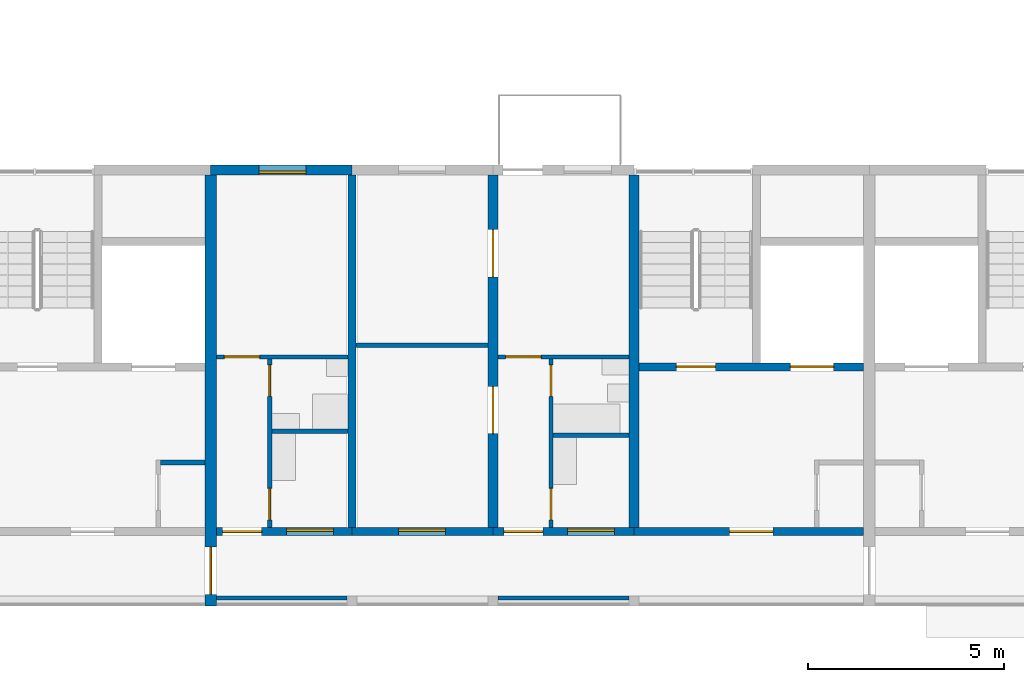
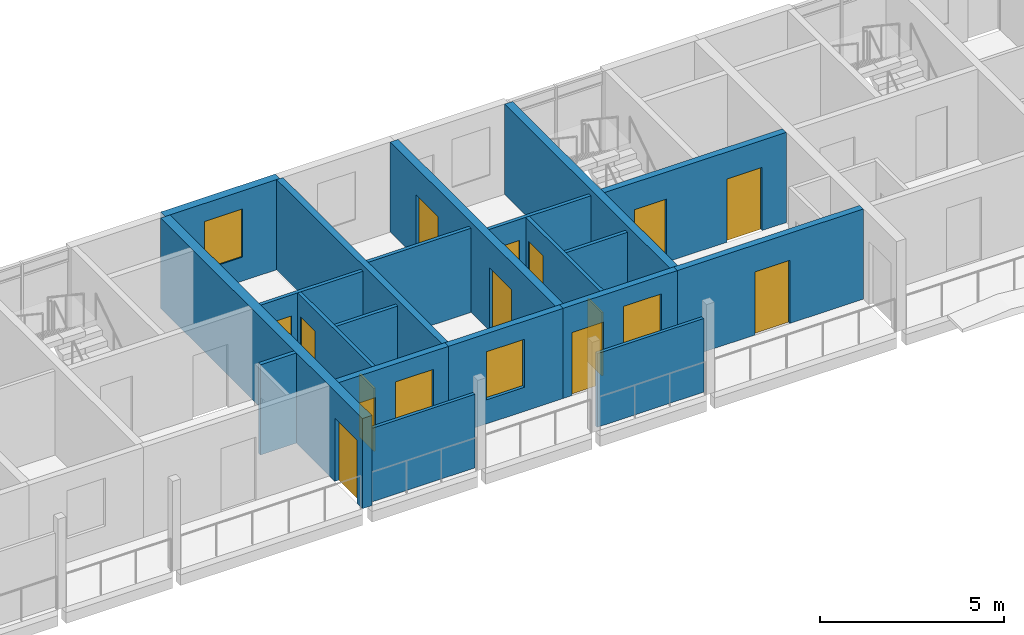
# One storey, part 31 of 100: 20 walls, 14 doors, 4 windows, 18 openings.
"""IFC4 building model written with IfcOpenShell, lengths in metres."""

from ifc_helpers import new_model, si_unit, direction, frame, frame_2d, origin, place, context, subcontext, project, spatial, rectangle, extrude, material, layer, layer_set, type_object, element, fill, save


model = new_model("IFC4")

# Units and contexts
model_context = context("Model", 3, precision=1e-05, world=origin(), true_north=direction((0.0, 1.0)))
body_context = subcontext(model_context, "Body", "Model", "MODEL_VIEW")
ifc_project = project(units=[si_unit("LENGTHUNIT", "METRE"), si_unit("AREAUNIT", "SQUARE_METRE"), si_unit("VOLUMEUNIT", "CUBIC_METRE"), si_unit("PLANEANGLEUNIT", "RADIAN"), si_unit("MASSUNIT", "GRAM", prefix="KILO")], contexts=[model_context])

# Site, building, storey
site_placement = place(None, origin())
site = spatial("IfcSite", under=ifc_project, at=site_placement, CompositionType="ELEMENT")
building_placement = place(site_placement, origin())
building = spatial("IfcBuilding", under=site, at=building_placement, Name="Ridgestep Commons", CompositionType="ELEMENT")
storey_placement = place(building_placement, frame((0.0, 0.0, 9.0)))
storey = spatial("IfcBuildingStorey", under=building, at=storey_placement, Name="L03", CompositionType="ELEMENT", Elevation=9.0)

# Wall
ifc_material_1 = material(Name="Concrete C30/37", Category="concrete")
ifc_layer_1 = layer(ifc_material_1, 0.25)
ifc_layer_set_1 = layer_set([ifc_layer_1], Name="Core cross wall 250")
wall_type_1 = type_object("IfcWallType", Name="Core cross wall 250", PredefinedType="SHEAR", material=ifc_layer_set_1)
wall_1_placement = place(storey_placement, frame((39.60009765625, 13.75, 0.0), z_axis=(0.0, 0.0, 1.0), x_axis=(0.0, 1.0, 0.0)))
element("IfcWall", 1, at=wall_1_placement, inside=storey, type_object=wall_type_1, Name="Cross wall A-03-0396", PredefinedType="SHEAR", context=body_context, shape_type="SweptSolid", body=[
    extrude(rectangle(XDim=9.0, YDim=0.25, at=frame_2d((4.5, 0.0))), origin(), (0.0, 0.0, 1.0), 3.0),
])

# Wall, opening, door
ifc_material_2 = material(Name="Concrete C30/37", Category="concrete")
ifc_layer_2 = layer(ifc_material_2, 0.199951171875)
ifc_layer_set_2 = layer_set([ifc_layer_2], Name="Core south wall 200")
wall_type_2 = type_object("IfcWallType", Name="Core south wall 200", PredefinedType="SHEAR", material=ifc_layer_set_2)
wall_2_placement = place(storey_placement, frame((39.60009765625, 13.64990234375, 0.0), z_axis=(0.0, 0.0, 1.0), x_axis=(1.0, 0.0, 0.0)))
wall_2 = element("IfcWall", 2, at=wall_2_placement, inside=storey, type_object=wall_type_2, Name="Core south wall A2C L03", PredefinedType="SHEAR", context=body_context, shape_type="SweptSolid", body=[
    extrude(rectangle(XDim=5.849853515625, YDim=0.199951171875, at=frame_2d((2.9248046875, 0.0))), origin(), (0.0, 0.0, 1.0), 3.0),
])
opening_1_placement = place(wall_2_placement, frame((2.4375, 0.0, 0.0)))
opening_1 = element("IfcOpeningElement", 3, at=opening_1_placement, cuts=wall_2, Name="Opening A2C/03/1", PredefinedType="OPENING", context=body_context, shape_type="SweptSolid", body=[
    extrude(rectangle(XDim=1.10009765625, YDim=2.10009765625, at=frame_2d((0.550048828125, 1.050048828125))), frame((0.0, 0.10986328125, 0.0), z_axis=(0.0, -1.0, 0.0), x_axis=(1.0, 0.0, 0.0)), (0.0, 0.0, 1.0), 0.219970703125),
])
ifc_material_3 = material(Name="Steel fire door", Category="steel")
door_type_1 = type_object("IfcDoorType", Name="Lobby door 1100 x 2100 FD60", OperationType="NOTDEFINED", PredefinedType="DOOR", material=ifc_material_3)
door_1_placement = place(opening_1_placement, origin())
door_1 = element("IfcDoor", 4, at=door_1_placement, inside=storey, type_object=door_type_1, Name="Lobby door A2C/03/1", OperationType="SINGLE_SWING_LEFT", OverallHeight=2.10009765625, OverallWidth=1.10009765625, PredefinedType="DOOR", context=body_context, shape_type="SweptSolid", body=[
    extrude(rectangle(XDim=1.10009765625, YDim=2.10009765625, at=frame_2d((0.550048828125, 1.050048828125))), frame((0.0, 0.02490234375, 0.0), z_axis=(0.0, -1.0, 0.0), x_axis=(1.0, 0.0, 0.0)), (0.0, 0.0, 1.0), 0.050048828125),
])
fill(opening_1, door_1)

# Wall
ifc_material_4 = material(Name="Concrete C30/37", Category="concrete")
ifc_layer_3 = layer(ifc_material_4, 0.1201171875)
ifc_layer_set_3 = layer_set([ifc_layer_3], Name="Core wall 120")
wall_type_3 = type_object("IfcWallType", Name="Core wall 120", PredefinedType="SHEAR", material=ifc_layer_set_3)
wall_3_placement = place(storey_placement, frame((27.52001953125, 15.409912109375, 0.0), z_axis=(0.0, 0.0, 1.0), x_axis=(1.0, 0.0, 0.0)))
element("IfcWall", 5, at=wall_3_placement, inside=storey, type_object=wall_type_3, Name="Core riser n wall A1C L03", PredefinedType="SHEAR", context=body_context, shape_type="SweptSolid", body=[
    extrude(rectangle(XDim=1.1298828125, YDim=0.1201171875, at=frame_2d((0.56494140625, 0.0))), origin(), (0.0, 0.0, 1.0), 3.0),
])

# Wall, openings, doors
ifc_material_5 = material(Name="Concrete C30/37", Category="concrete")
ifc_layer_4 = layer(ifc_material_5, 0.199951171875)
ifc_layer_set_4 = layer_set([ifc_layer_4], Name="Core wall 200")
wall_type_4 = type_object("IfcWallType", Name="Core wall 200", PredefinedType="SHEAR", material=ifc_layer_set_4)
wall_4_placement = place(storey_placement, frame((39.72509765625, 17.85009765625, 0.0), z_axis=(0.0, 0.0, 1.0), x_axis=(1.0, 0.0, 0.0)))
wall_4 = element("IfcWall", 6, at=wall_4_placement, inside=storey, type_object=wall_type_4, Name="Core lobby wall A2C L03", PredefinedType="SHEAR", context=body_context, shape_type="SweptSolid", body=[
    extrude(rectangle(XDim=5.724853515625, YDim=0.199951171875, at=frame_2d((2.8623046875, 0.0))), origin(), (0.0, 0.0, 1.0), 3.0),
])
opening_2_placement = place(wall_4_placement, frame((0.949951171875, 0.0, 0.0)))
opening_2 = element("IfcOpeningElement", 7, at=opening_2_placement, cuts=wall_4, Name="Opening A2C/03/2", PredefinedType="OPENING", context=body_context, shape_type="SweptSolid", body=[
    extrude(rectangle(XDim=1.0, YDim=2.10009765625, at=frame_2d((0.5, 1.050048828125))), frame((0.0, 0.10986328125, 0.0), z_axis=(0.0, -1.0, 0.0), x_axis=(1.0, 0.0, 0.0)), (0.0, 0.0, 1.0), 0.219970703125),
])
opening_3_placement = place(wall_4_placement, frame((3.862548828125, 0.0, 0.0)))
opening_3 = element("IfcOpeningElement", 8, at=opening_3_placement, cuts=wall_4, Name="Opening A2C/03/3", PredefinedType="OPENING", context=body_context, shape_type="SweptSolid", body=[
    extrude(rectangle(XDim=1.10009765625, YDim=2.10009765625, at=frame_2d((0.550048828125, 1.050048828125))), frame((0.0, 0.10986328125, 0.0), z_axis=(0.0, -1.0, 0.0), x_axis=(1.0, 0.0, 0.0)), (0.0, 0.0, 1.0), 0.219970703125),
])
ifc_material_6 = material(Name="Stainless steel", Category="steel")
door_type_2 = type_object("IfcDoorType", Name="Lift landing door 1100 x 2100 FD60", OperationType="DOUBLE_DOOR_SLIDING", PredefinedType="DOOR", material=ifc_material_6)
door_2_placement = place(opening_3_placement, origin())
door_2 = element("IfcDoor", 9, at=door_2_placement, inside=storey, type_object=door_type_2, Name="Landing door LD A2C L03", OperationType="DOUBLE_DOOR_SLIDING", OverallHeight=2.10009765625, OverallWidth=1.10009765625, PredefinedType="DOOR", context=body_context, shape_type="SweptSolid", body=[
    extrude(rectangle(XDim=1.10009765625, YDim=2.10009765625, at=frame_2d((0.550048828125, 1.050048828125))), frame((0.0, 0.02490234375, 0.0), z_axis=(0.0, -1.0, 0.0), x_axis=(1.0, 0.0, 0.0)), (0.0, 0.0, 1.0), 0.050048828125),
])
fill(opening_3, door_2)
ifc_material_7 = material(Name="Steel fire door", Category="steel")
door_type_3 = type_object("IfcDoorType", Name="Stair door 1000 x 2100 FD60", OperationType="NOTDEFINED", PredefinedType="DOOR", material=ifc_material_7)
door_3_placement = place(opening_2_placement, origin())
door_3 = element("IfcDoor", 10, at=door_3_placement, inside=storey, type_object=door_type_3, Name="Stair door A2C/03/2", OperationType="SINGLE_SWING_RIGHT", OverallHeight=2.10009765625, OverallWidth=1.0, PredefinedType="DOOR", context=body_context, shape_type="SweptSolid", body=[
    extrude(rectangle(XDim=1.0, YDim=2.10009765625, at=frame_2d((0.5, 1.050048828125))), frame((0.0, 0.02490234375, 0.0), z_axis=(0.0, -1.0, 0.0), x_axis=(1.0, 0.0, 0.0)), (0.0, 0.0, 1.0), 0.050048828125),
])
fill(opening_2, door_3)

# Wall
ifc_material_8 = material(Name="Precast concrete C40/50", Category="concrete")
ifc_layer_5 = layer(ifc_material_8, 0.199951171875)
ifc_layer_set_5 = layer_set([ifc_layer_5], Name="Cross wall 200")
wall_type_5 = type_object("IfcWallType", Name="Cross wall 200", PredefinedType="SHEAR", material=ifc_layer_set_5)
wall_5_placement = place(storey_placement, frame((32.39990234375, 13.75, 0.0), z_axis=(0.0, 0.0, 1.0), x_axis=(0.0, 1.0, 0.0)))
element("IfcWall", 11, at=wall_5_placement, inside=storey, type_object=wall_type_5, Name="Cross wall A-03-0324", PredefinedType="SHEAR", context=body_context, shape_type="SweptSolid", body=[
    extrude(rectangle(XDim=9.0, YDim=0.199951171875, at=frame_2d((4.5, 0.0))), origin(), (0.0, 0.0, 1.0), 3.0),
])

# Wall, openings, doors
ifc_material_9 = material(Name="Precast concrete C40/50", Category="concrete")
ifc_layer_6 = layer(ifc_material_9, 0.25)
ifc_layer_set_6 = layer_set([ifc_layer_6], Name="Cross wall 250")
wall_type_6 = type_object("IfcWallType", Name="Cross wall 250", PredefinedType="SHEAR", material=ifc_layer_set_6)
wall_6_placement = place(storey_placement, frame((36.0, 13.75, 0.0), z_axis=(0.0, 0.0, 1.0), x_axis=(0.0, 1.0, 0.0)))
wall_6 = element("IfcWall", 12, at=wall_6_placement, inside=storey, type_object=wall_type_6, Name="Cross wall A-03-0360", PredefinedType="SHEAR", context=body_context, shape_type="SweptSolid", body=[
    extrude(rectangle(XDim=9.0, YDim=0.25, at=frame_2d((4.5, 0.0))), origin(), (0.0, 0.0, 1.0), 3.0),
])
opening_4_placement = place(wall_6_placement, frame((2.39990234375, 0.0, 0.0)))
opening_4 = element("IfcOpeningElement", 13, at=opening_4_placement, cuts=wall_6, Name="Opening A2-03b/5", PredefinedType="OPENING", context=body_context, shape_type="SweptSolid", body=[
    extrude(rectangle(XDim=1.199951171875, YDim=2.10009765625, at=frame_2d((0.60009765625, 1.050048828125))), frame((0.0, 0.135009765625, 0.0), z_axis=(0.0, -1.0, 0.0), x_axis=(1.0, 0.0, 0.0)), (0.0, 0.0, 1.0), 0.27001953125),
])
opening_5_placement = place(wall_6_placement, frame((6.39990234375, 0.0, 0.0)))
opening_5 = element("IfcOpeningElement", 14, at=opening_5_placement, cuts=wall_6, Name="Opening A2-03b/6", PredefinedType="OPENING", context=body_context, shape_type="SweptSolid", body=[
    extrude(rectangle(XDim=1.199951171875, YDim=2.10009765625, at=frame_2d((0.60009765625, 1.050048828125))), frame((0.0, 0.135009765625, 0.0), z_axis=(0.0, -1.0, 0.0), x_axis=(1.0, 0.0, 0.0)), (0.0, 0.0, 1.0), 0.27001953125),
])
ifc_material_10 = material(Name="Timber door leaf", Category="wood")
door_type_4 = type_object("IfcDoorType", Name="Double door 1200 x 2100", OperationType="DOUBLE_DOOR_SINGLE_SWING", PredefinedType="DOOR", material=ifc_material_10)
door_4_placement = place(opening_4_placement, origin())
door_4 = element("IfcDoor", 15, at=door_4_placement, inside=storey, type_object=door_type_4, Name="Double door A2-03b/5", OperationType="DOUBLE_DOOR_SINGLE_SWING", OverallHeight=2.10009765625, OverallWidth=1.199951171875, PredefinedType="DOOR", context=body_context, shape_type="SweptSolid", body=[
    extrude(rectangle(XDim=1.199951171875, YDim=2.10009765625, at=frame_2d((0.60009765625, 1.050048828125))), frame((0.0, 0.02490234375, 0.0), z_axis=(0.0, -1.0, 0.0), x_axis=(1.0, 0.0, 0.0)), (0.0, 0.0, 1.0), 0.050048828125),
])
fill(opening_4, door_4)
door_5_placement = place(opening_5_placement, origin())
door_5 = element("IfcDoor", 16, at=door_5_placement, inside=storey, type_object=door_type_4, Name="Double door A2-03b/6", OperationType="DOUBLE_DOOR_SINGLE_SWING", OverallHeight=2.10009765625, OverallWidth=1.199951171875, PredefinedType="DOOR", context=body_context, shape_type="SweptSolid", body=[
    extrude(rectangle(XDim=1.199951171875, YDim=2.10009765625, at=frame_2d((0.60009765625, 1.050048828125))), frame((0.0, 0.02490234375, 0.0), z_axis=(0.0, -1.0, 0.0), x_axis=(1.0, 0.0, 0.0)), (0.0, 0.0, 1.0), 0.050048828125),
])
fill(opening_5, door_5)

# Wall, opening, door
ifc_material_11 = material(Name="Precast concrete C40/50", Category="concrete")
ifc_layer_7 = layer(ifc_material_11, 0.300048828125)
ifc_layer_set_7 = layer_set([ifc_layer_7], Name="Division wall 300")
wall_type_7 = type_object("IfcWallType", Name="Division wall 300", PredefinedType="SHEAR", material=ifc_layer_set_7)
wall_7_placement = place(storey_placement, frame((28.800048828125, 11.75, 0.0), z_axis=(0.0, 0.0, 1.0), x_axis=(0.0, 1.0, 0.0)))
wall_7 = element("IfcWall", 17, at=wall_7_placement, inside=storey, type_object=wall_type_7, Name="Cross wall A-03-0288", PredefinedType="SHEAR", context=body_context, shape_type="SweptSolid", body=[
    extrude(rectangle(XDim=11.0, YDim=0.300048828125, at=frame_2d((5.5, 0.0))), origin(), (0.0, 0.0, 1.0), 3.0),
])
opening_6_placement = place(wall_7_placement, frame((0.300048828125, 0.0, 0.0)))
opening_6 = element("IfcOpeningElement", 18, at=opening_6_placement, cuts=wall_7, Name="Opening A/03/G0288", PredefinedType="OPENING", context=body_context, shape_type="SweptSolid", body=[
    extrude(rectangle(XDim=1.199951171875, YDim=2.10009765625, at=frame_2d((0.60009765625, 1.050048828125))), frame((0.0, 0.159912109375, 0.0), z_axis=(0.0, -1.0, 0.0), x_axis=(1.0, 0.0, 0.0)), (0.0, 0.0, 1.0), 0.320068359375),
])
ifc_material_12 = material(Name="Steel fire door", Category="steel")
door_type_5 = type_object("IfcDoorType", Name="Division fire door 1200 x 2100 EI 240", OperationType="DOUBLE_DOOR_SINGLE_SWING", PredefinedType="DOOR", material=ifc_material_12)
door_6_placement = place(opening_6_placement, origin())
door_6 = element("IfcDoor", 19, at=door_6_placement, inside=storey, type_object=door_type_5, Name="Division fire door A/03/G0288", OperationType="DOUBLE_DOOR_SINGLE_SWING", OverallHeight=2.10009765625, OverallWidth=1.199951171875, PredefinedType="DOOR", context=body_context, shape_type="SweptSolid", body=[
    extrude(rectangle(XDim=1.199951171875, YDim=2.10009765625, at=frame_2d((0.60009765625, 1.050048828125))), frame((0.0, 0.02490234375, 0.0), z_axis=(0.0, -1.0, 0.0), x_axis=(1.0, 0.0, 0.0)), (0.0, 0.0, 1.0), 0.050048828125),
])
fill(opening_6, door_6)

# Wall, opening, window
ifc_material_13 = material(Name="Precast concrete C40/50", Category="concrete")
ifc_layer_8 = layer(ifc_material_13, 0.25)
ifc_layer_set_8 = layer_set([ifc_layer_8], Name="North facade panel 250")
wall_type_8 = type_object("IfcWallType", Name="North facade panel 250", PredefinedType="SOLIDWALL", material=ifc_layer_set_8)
wall_8_placement = place(storey_placement, frame((28.800048828125, 22.875, 0.0), z_axis=(0.0, 0.0, 1.0), x_axis=(1.0, 0.0, 0.0)))
wall_8 = element("IfcWall", 20, at=wall_8_placement, inside=storey, type_object=wall_type_8, Name="North panel A2T1 L03", PredefinedType="SOLIDWALL", context=body_context, shape_type="SweptSolid", body=[
    extrude(rectangle(XDim=3.599853515625, YDim=0.25, at=frame_2d((1.7998046875, 0.0))), origin(), (0.0, 0.0, 1.0), 3.0),
])
opening_7_placement = place(wall_8_placement, frame((1.22509765625, 0.0, 0.800048828125)))
opening_7 = element("IfcOpeningElement", 21, at=opening_7_placement, cuts=wall_8, Name="Opening W11", PredefinedType="OPENING", context=body_context, shape_type="SweptSolid", body=[
    extrude(rectangle(XDim=1.199951171875, YDim=1.60009765625, at=frame_2d((0.60009765625, 0.800048828125))), frame((0.0, 0.135009765625, 0.0), z_axis=(0.0, -1.0, 0.0), x_axis=(1.0, 0.0, 0.0)), (0.0, 0.0, 1.0), 0.27001953125),
])
ifc_material_14 = material(Name="Aluminium 6063-T6 and glass", Category="aluminium")
window_type_1 = type_object("IfcWindowType", Name="Flat window 1200 x 1600", PartitioningType="SINGLE_PANEL", PredefinedType="WINDOW", material=ifc_material_14)
window_1_placement = place(opening_7_placement, origin())
window_1 = element("IfcWindow", 22, at=window_1_placement, inside=storey, type_object=window_type_1, Name="Window A2-03a 2", OverallHeight=1.60009765625, OverallWidth=1.199951171875, PartitioningType="SINGLE_PANEL", PredefinedType="WINDOW", context=body_context, shape_type="SweptSolid", body=[
    extrude(rectangle(XDim=1.199951171875, YDim=1.60009765625, at=frame_2d((0.60009765625, 0.800048828125))), frame((0.0, -0.02490234375, 0.0), z_axis=(0.0, -1.0, 0.0), x_axis=(1.0, 0.0, 0.0)), (0.0, 0.0, 1.0), 0.06005859375),
])
fill(opening_7, window_1)

# Wall, openings, doors
ifc_material_15 = material(Name="Common brick 110 mm", Category="masonry")
ifc_layer_9 = layer(ifc_material_15, 0.110107421875)
ifc_layer_set_9 = layer_set([ifc_layer_9], Name="Partition 110")
wall_type_9 = type_object("IfcWallType", Name="Partition 110", PredefinedType="PARTITIONING", material=ifc_layer_set_9)
wall_9_placement = place(storey_placement, frame((30.304931640625, 13.75, 0.0), z_axis=(0.0, 0.0, 1.0), x_axis=(0.0, 1.0, 0.0)))
wall_9 = element("IfcWall", 23, at=wall_9_placement, inside=storey, type_object=wall_type_9, Name="Partition A2-03a", PredefinedType="PARTITIONING", context=body_context, shape_type="SweptSolid", body=[
    extrude(rectangle(XDim=4.300048828125, YDim=0.110107421875, at=frame_2d((2.14990234375, 0.0))), origin(), (0.0, 0.0, 1.0), 2.800048828125),
])
opening_8_placement = place(wall_9_placement, frame((0.199951171875, 0.0, 0.0)))
opening_8 = element("IfcOpeningElement", 24, at=opening_8_placement, cuts=wall_9, Name="Opening A2-03a/2", PredefinedType="OPENING", context=body_context, shape_type="SweptSolid", body=[
    extrude(rectangle(XDim=0.800048828125, YDim=2.10009765625, at=frame_2d((0.39990234375, 1.050048828125))), frame((0.0, 0.06494140625, 0.0), z_axis=(0.0, -1.0, 0.0), x_axis=(1.0, 0.0, 0.0)), (0.0, 0.0, 1.0), 0.130126953125),
])
opening_9_placement = place(wall_9_placement, frame((3.35009765625, 0.0, 0.0)))
opening_9 = element("IfcOpeningElement", 25, at=opening_9_placement, cuts=wall_9, Name="Opening A2-03a/3", PredefinedType="OPENING", context=body_context, shape_type="SweptSolid", body=[
    extrude(rectangle(XDim=0.800048828125, YDim=2.10009765625, at=frame_2d((0.39990234375, 1.050048828125))), frame((0.0, 0.06494140625, 0.0), z_axis=(0.0, -1.0, 0.0), x_axis=(1.0, 0.0, 0.0)), (0.0, 0.0, 1.0), 0.130126953125),
])
ifc_material_16 = material(Name="Timber door leaf", Category="wood")
door_type_6 = type_object("IfcDoorType", Name="Internal door 800 x 2100", OperationType="NOTDEFINED", PredefinedType="DOOR", material=ifc_material_16)
door_7_placement = place(opening_8_placement, origin())
door_7 = element("IfcDoor", 26, at=door_7_placement, inside=storey, type_object=door_type_6, Name="Internal door A2-03a/2", OperationType="SINGLE_SWING_RIGHT", OverallHeight=2.10009765625, OverallWidth=0.800048828125, PredefinedType="DOOR", context=body_context, shape_type="SweptSolid", body=[
    extrude(rectangle(XDim=0.800048828125, YDim=2.10009765625, at=frame_2d((0.39990234375, 1.050048828125))), frame((0.0, 0.02490234375, 0.0), z_axis=(0.0, -1.0, 0.0), x_axis=(1.0, 0.0, 0.0)), (0.0, 0.0, 1.0), 0.050048828125),
])
fill(opening_8, door_7)
door_8_placement = place(opening_9_placement, origin())
door_8 = element("IfcDoor", 27, at=door_8_placement, inside=storey, type_object=door_type_6, Name="Internal door A2-03a/3", OperationType="SINGLE_SWING_LEFT", OverallHeight=2.10009765625, OverallWidth=0.800048828125, PredefinedType="DOOR", context=body_context, shape_type="SweptSolid", body=[
    extrude(rectangle(XDim=0.800048828125, YDim=2.10009765625, at=frame_2d((0.39990234375, 1.050048828125))), frame((0.0, 0.02490234375, 0.0), z_axis=(0.0, -1.0, 0.0), x_axis=(1.0, 0.0, 0.0)), (0.0, 0.0, 1.0), 0.050048828125),
])
fill(opening_9, door_8)

# Wall
wall_10_placement = place(storey_placement, frame((30.360107421875, 16.205078125, 0.0), z_axis=(0.0, 0.0, 1.0), x_axis=(1.0, 0.0, 0.0)))
element("IfcWall", 28, at=wall_10_placement, inside=storey, type_object=wall_type_9, Name="Partition A2-03a", PredefinedType="PARTITIONING", context=body_context, shape_type="SweptSolid", body=[
    extrude(rectangle(XDim=1.93994140625, YDim=0.110107421875, at=frame_2d((0.969970703125, 0.0))), origin(), (0.0, 0.0, 1.0), 2.800048828125),
])

# Wall, opening, door
wall_11_placement = place(storey_placement, frame((28.949951171875, 18.10498046875, 0.0), z_axis=(0.0, 0.0, 1.0), x_axis=(1.0, 0.0, 0.0)))
wall_11 = element("IfcWall", 29, at=wall_11_placement, inside=storey, type_object=wall_type_9, Name="Partition A2-03a", PredefinedType="PARTITIONING", context=body_context, shape_type="SweptSolid", body=[
    extrude(rectangle(XDim=3.35009765625, YDim=0.110107421875, at=frame_2d((1.675048828125, 0.0))), origin(), (0.0, 0.0, 1.0), 2.800048828125),
])
opening_10_placement = place(wall_11_placement, frame((0.199951171875, 0.0, 0.0)))
opening_10 = element("IfcOpeningElement", 30, at=opening_10_placement, cuts=wall_11, Name="Opening A2-03a/4", PredefinedType="OPENING", context=body_context, shape_type="SweptSolid", body=[
    extrude(rectangle(XDim=0.89990234375, YDim=2.10009765625, at=frame_2d((0.449951171875, 1.050048828125))), frame((0.0, 0.06494140625, 0.0), z_axis=(0.0, -1.0, 0.0), x_axis=(1.0, 0.0, 0.0)), (0.0, 0.0, 1.0), 0.130126953125),
])
ifc_material_17 = material(Name="Timber door leaf", Category="wood")
door_type_7 = type_object("IfcDoorType", Name="Internal door 900 x 2100", OperationType="NOTDEFINED", PredefinedType="DOOR", material=ifc_material_17)
door_9_placement = place(opening_10_placement, origin())
door_9 = element("IfcDoor", 31, at=door_9_placement, inside=storey, type_object=door_type_7, Name="Internal door A2-03a/4", OperationType="SINGLE_SWING_RIGHT", OverallHeight=2.10009765625, OverallWidth=0.89990234375, PredefinedType="DOOR", context=body_context, shape_type="SweptSolid", body=[
    extrude(rectangle(XDim=0.89990234375, YDim=2.10009765625, at=frame_2d((0.449951171875, 1.050048828125))), frame((0.0, 0.02490234375, 0.0), z_axis=(0.0, -1.0, 0.0), x_axis=(1.0, 0.0, 0.0)), (0.0, 0.0, 1.0), 0.050048828125),
])
fill(opening_10, door_9)

# Wall, openings, doors
wall_12_placement = place(storey_placement, frame((37.47998046875, 13.75, 0.0), z_axis=(0.0, 0.0, 1.0), x_axis=(0.0, 1.0, 0.0)))
wall_12 = element("IfcWall", 32, at=wall_12_placement, inside=storey, type_object=wall_type_9, Name="Partition A2-03b", PredefinedType="PARTITIONING", context=body_context, shape_type="SweptSolid", body=[
    extrude(rectangle(XDim=4.300048828125, YDim=0.110107421875, at=frame_2d((2.14990234375, 0.0))), origin(), (0.0, 0.0, 1.0), 2.800048828125),
])
opening_11_placement = place(wall_12_placement, frame((0.199951171875, 0.0, 0.0)))
opening_11 = element("IfcOpeningElement", 33, at=opening_11_placement, cuts=wall_12, Name="Opening A2-03b/2", PredefinedType="OPENING", context=body_context, shape_type="SweptSolid", body=[
    extrude(rectangle(XDim=0.800048828125, YDim=2.10009765625, at=frame_2d((0.39990234375, 1.050048828125))), frame((0.0, 0.06494140625, 0.0), z_axis=(0.0, -1.0, 0.0), x_axis=(1.0, 0.0, 0.0)), (0.0, 0.0, 1.0), 0.130126953125),
])
opening_12_placement = place(wall_12_placement, frame((3.35009765625, 0.0, 0.0)))
opening_12 = element("IfcOpeningElement", 34, at=opening_12_placement, cuts=wall_12, Name="Opening A2-03b/3", PredefinedType="OPENING", context=body_context, shape_type="SweptSolid", body=[
    extrude(rectangle(XDim=0.800048828125, YDim=2.10009765625, at=frame_2d((0.39990234375, 1.050048828125))), frame((0.0, 0.06494140625, 0.0), z_axis=(0.0, -1.0, 0.0), x_axis=(1.0, 0.0, 0.0)), (0.0, 0.0, 1.0), 0.130126953125),
])
door_10_placement = place(opening_11_placement, origin())
door_10 = element("IfcDoor", 35, at=door_10_placement, inside=storey, type_object=door_type_6, Name="Internal door A2-03b/2", OperationType="SINGLE_SWING_RIGHT", OverallHeight=2.10009765625, OverallWidth=0.800048828125, PredefinedType="DOOR", context=body_context, shape_type="SweptSolid", body=[
    extrude(rectangle(XDim=0.800048828125, YDim=2.10009765625, at=frame_2d((0.39990234375, 1.050048828125))), frame((0.0, 0.02490234375, 0.0), z_axis=(0.0, -1.0, 0.0), x_axis=(1.0, 0.0, 0.0)), (0.0, 0.0, 1.0), 0.050048828125),
])
fill(opening_11, door_10)
door_11_placement = place(opening_12_placement, origin())
door_11 = element("IfcDoor", 36, at=door_11_placement, inside=storey, type_object=door_type_6, Name="Internal door A2-03b/3", OperationType="SINGLE_SWING_LEFT", OverallHeight=2.10009765625, OverallWidth=0.800048828125, PredefinedType="DOOR", context=body_context, shape_type="SweptSolid", body=[
    extrude(rectangle(XDim=0.800048828125, YDim=2.10009765625, at=frame_2d((0.39990234375, 1.050048828125))), frame((0.0, 0.02490234375, 0.0), z_axis=(0.0, -1.0, 0.0), x_axis=(1.0, 0.0, 0.0)), (0.0, 0.0, 1.0), 0.050048828125),
])
fill(opening_12, door_11)

# Wall
wall_13_placement = place(storey_placement, frame((37.534912109375, 16.10498046875, 0.0), z_axis=(0.0, 0.0, 1.0), x_axis=(1.0, 0.0, 0.0)))
element("IfcWall", 37, at=wall_13_placement, inside=storey, type_object=wall_type_9, Name="Partition A2-03b", PredefinedType="PARTITIONING", context=body_context, shape_type="SweptSolid", body=[
    extrude(rectangle(XDim=1.940185546875, YDim=0.110107421875, at=frame_2d((0.97021484375, 0.0))), origin(), (0.0, 0.0, 1.0), 2.800048828125),
])

# Wall, opening, door
wall_14_placement = place(storey_placement, frame((36.125, 18.10498046875, 0.0), z_axis=(0.0, 0.0, 1.0), x_axis=(1.0, 0.0, 0.0)))
wall_14 = element("IfcWall", 38, at=wall_14_placement, inside=storey, type_object=wall_type_9, Name="Partition A2-03b", PredefinedType="PARTITIONING", context=body_context, shape_type="SweptSolid", body=[
    extrude(rectangle(XDim=3.35009765625, YDim=0.110107421875, at=frame_2d((1.675048828125, 0.0))), origin(), (0.0, 0.0, 1.0), 2.800048828125),
])
opening_13_placement = place(wall_14_placement, frame((0.199951171875, 0.0, 0.0)))
opening_13 = element("IfcOpeningElement", 39, at=opening_13_placement, cuts=wall_14, Name="Opening A2-03b/4", PredefinedType="OPENING", context=body_context, shape_type="SweptSolid", body=[
    extrude(rectangle(XDim=0.89990234375, YDim=2.10009765625, at=frame_2d((0.449951171875, 1.050048828125))), frame((0.0, 0.06494140625, 0.0), z_axis=(0.0, -1.0, 0.0), x_axis=(1.0, 0.0, 0.0)), (0.0, 0.0, 1.0), 0.130126953125),
])
door_12_placement = place(opening_13_placement, origin())
door_12 = element("IfcDoor", 40, at=door_12_placement, inside=storey, type_object=door_type_7, Name="Internal door A2-03b/4", OperationType="SINGLE_SWING_LEFT", OverallHeight=2.10009765625, OverallWidth=0.89990234375, PredefinedType="DOOR", context=body_context, shape_type="SweptSolid", body=[
    extrude(rectangle(XDim=0.89990234375, YDim=2.10009765625, at=frame_2d((0.449951171875, 1.050048828125))), frame((0.0, 0.02490234375, 0.0), z_axis=(0.0, -1.0, 0.0), x_axis=(1.0, 0.0, 0.0)), (0.0, 0.0, 1.0), 0.050048828125),
])
fill(opening_13, door_12)

# Walls
wall_15_placement = place(storey_placement, frame((32.5, 18.405029296875, 0.0), z_axis=(0.0, 0.0, 1.0), x_axis=(1.0, 0.0, 0.0)))
element("IfcWall", 41, at=wall_15_placement, inside=storey, type_object=wall_type_9, Name="Partition A2-03b", PredefinedType="PARTITIONING", context=body_context, shape_type="SweptSolid", body=[
    extrude(rectangle(XDim=3.375, YDim=0.110107421875, at=frame_2d((1.6875, 0.0))), origin(), (0.0, 0.0, 1.0), 2.800048828125),
])
ifc_material_18 = material(Name="Precast concrete C30/37", Category="concrete")
ifc_layer_10 = layer(ifc_material_18, 0.10009765625)
ifc_layer_set_10 = layer_set([ifc_layer_10], Name="Perforated gallery screen 3325 x 2450 x 100")
wall_type_10 = type_object("IfcWallType", Name="Perforated gallery screen 3325 x 2450 x 100", PredefinedType="SOLIDWALL", material=ifc_layer_set_10)
wall_16_placement = place(storey_placement, frame((28.949951171875, 11.949951171875, 0.0), z_axis=(0.0, 0.0, 1.0), x_axis=(1.0, 0.0, 0.0)))
element("IfcWall", 42, at=wall_16_placement, inside=storey, type_object=wall_type_10, Name="Gallery screen A2T1 03", PredefinedType="SOLIDWALL", context=body_context, shape_type="SweptSolid", body=[
    extrude(rectangle(XDim=3.324951171875, YDim=0.10009765625, at=frame_2d((1.66259765625, 0.0))), origin(), (0.0, 0.0, 1.0), 2.449951171875),
])
ifc_material_19 = material(Name="Precast concrete C30/37", Category="concrete")
ifc_layer_11 = layer(ifc_material_19, 0.10009765625)
ifc_layer_set_11 = layer_set([ifc_layer_11], Name="Perforated gallery screen 3350 x 2450 x 100")
wall_type_11 = type_object("IfcWallType", Name="Perforated gallery screen 3350 x 2450 x 100", PredefinedType="SOLIDWALL", material=ifc_layer_set_11)
wall_17_placement = place(storey_placement, frame((36.125, 11.949951171875, 0.0), z_axis=(0.0, 0.0, 1.0), x_axis=(1.0, 0.0, 0.0)))
element("IfcWall", 43, at=wall_17_placement, inside=storey, type_object=wall_type_11, Name="Gallery screen A2T3 03", PredefinedType="SOLIDWALL", context=body_context, shape_type="SweptSolid", body=[
    extrude(rectangle(XDim=3.35009765625, YDim=0.10009765625, at=frame_2d((1.675048828125, 0.0))), origin(), (0.0, 0.0, 1.0), 2.449951171875),
])

# Wall, openings, door, window
ifc_material_20 = material(Name="Precast concrete C40/50", Category="concrete")
ifc_layer_12 = layer(ifc_material_20, 0.199951171875)
ifc_layer_set_12 = layer_set([ifc_layer_12], Name="South facade panel 200")
wall_type_12 = type_object("IfcWallType", Name="South facade panel 200", PredefinedType="SOLIDWALL", material=ifc_layer_set_12)
wall_18_placement = place(storey_placement, frame((28.949951171875, 13.64990234375, 0.0), z_axis=(0.0, 0.0, 1.0), x_axis=(1.0, 0.0, 0.0)))
wall_18 = element("IfcWall", 44, at=wall_18_placement, inside=storey, type_object=wall_type_12, Name="South panel A2T1 L03", PredefinedType="SOLIDWALL", context=body_context, shape_type="SweptSolid", body=[
    extrude(rectangle(XDim=3.449951171875, YDim=0.199951171875, at=frame_2d((1.72509765625, 0.0))), origin(), (0.0, 0.0, 1.0), 3.0),
])
opening_14_placement = place(wall_18_placement, frame((1.780029296875, 0.0, 1.10009765625)))
opening_14 = element("IfcOpeningElement", 45, at=opening_14_placement, cuts=wall_18, Name="Opening W08", PredefinedType="OPENING", context=body_context, shape_type="SweptSolid", body=[
    extrude(rectangle(XDim=1.199951171875, YDim=1.300048828125, at=frame_2d((0.60009765625, 0.64990234375))), frame((0.0, 0.10986328125, 0.0), z_axis=(0.0, -1.0, 0.0), x_axis=(1.0, 0.0, 0.0)), (0.0, 0.0, 1.0), 0.219970703125),
])
opening_15_placement = place(wall_18_placement, frame((0.14990234375, 0.0, 0.0)))
opening_15 = element("IfcOpeningElement", 46, at=opening_15_placement, cuts=wall_18, Name="Opening A2-03a/1", PredefinedType="OPENING", context=body_context, shape_type="SweptSolid", body=[
    extrude(rectangle(XDim=1.0, YDim=2.10009765625, at=frame_2d((0.5, 1.050048828125))), frame((0.0, 0.10986328125, 0.0), z_axis=(0.0, -1.0, 0.0), x_axis=(1.0, 0.0, 0.0)), (0.0, 0.0, 1.0), 0.219970703125),
])
ifc_material_21 = material(Name="Timber door leaf", Category="wood")
door_type_8 = type_object("IfcDoorType", Name="Flat entrance door 1000 x 2100 FD30S", OperationType="NOTDEFINED", PredefinedType="DOOR", material=ifc_material_21)
door_13_placement = place(opening_15_placement, origin())
door_13 = element("IfcDoor", 47, at=door_13_placement, inside=storey, type_object=door_type_8, Name="Flat entrance door A2-03a/1", OperationType="SINGLE_SWING_LEFT", OverallHeight=2.10009765625, OverallWidth=1.0, PredefinedType="DOOR", context=body_context, shape_type="SweptSolid", body=[
    extrude(rectangle(XDim=1.0, YDim=2.10009765625, at=frame_2d((0.5, 1.050048828125))), frame((0.0, 0.02490234375, 0.0), z_axis=(0.0, -1.0, 0.0), x_axis=(1.0, 0.0, 0.0)), (0.0, 0.0, 1.0), 0.050048828125),
])
fill(opening_15, door_13)
ifc_material_22 = material(Name="Aluminium 6063-T6 and glass", Category="aluminium")
window_type_2 = type_object("IfcWindowType", Name="Flat window 1200 x 1300", PartitioningType="SINGLE_PANEL", PredefinedType="WINDOW", material=ifc_material_22)
window_2_placement = place(opening_14_placement, origin())
window_2 = element("IfcWindow", 48, at=window_2_placement, inside=storey, type_object=window_type_2, Name="Window A2-03a 1", OverallHeight=1.300048828125, OverallWidth=1.199951171875, PartitioningType="SINGLE_PANEL", PredefinedType="WINDOW", context=body_context, shape_type="SweptSolid", body=[
    extrude(rectangle(XDim=1.199951171875, YDim=1.300048828125, at=frame_2d((0.60009765625, 0.64990234375))), frame((0.0, 0.06005859375, 0.0), z_axis=(0.0, -1.0, 0.0), x_axis=(1.0, 0.0, 0.0)), (0.0, 0.0, 1.0), 0.06005859375),
])
fill(opening_14, window_2)

# Wall, opening, window
wall_19_placement = place(storey_placement, frame((32.39990234375, 13.64990234375, 0.0), z_axis=(0.0, 0.0, 1.0), x_axis=(1.0, 0.0, 0.0)))
wall_19 = element("IfcWall", 49, at=wall_19_placement, inside=storey, type_object=wall_type_12, Name="South panel A2T2 L03", PredefinedType="SOLIDWALL", context=body_context, shape_type="SweptSolid", body=[
    extrude(rectangle(XDim=3.60009765625, YDim=0.199951171875, at=frame_2d((1.800048828125, 0.0))), origin(), (0.0, 0.0, 1.0), 3.0),
])
opening_16_placement = place(wall_19_placement, frame((1.1875, 0.0, 0.800048828125)))
opening_16 = element("IfcOpeningElement", 50, at=opening_16_placement, cuts=wall_19, Name="Opening W11", PredefinedType="OPENING", context=body_context, shape_type="SweptSolid", body=[
    extrude(rectangle(XDim=1.199951171875, YDim=1.60009765625, at=frame_2d((0.60009765625, 0.800048828125))), frame((0.0, 0.10986328125, 0.0), z_axis=(0.0, -1.0, 0.0), x_axis=(1.0, 0.0, 0.0)), (0.0, 0.0, 1.0), 0.219970703125),
])
window_3_placement = place(opening_16_placement, origin())
window_3 = element("IfcWindow", 51, at=window_3_placement, inside=storey, type_object=window_type_1, Name="Window A2-03b 1", OverallHeight=1.60009765625, OverallWidth=1.199951171875, PartitioningType="SINGLE_PANEL", PredefinedType="WINDOW", context=body_context, shape_type="SweptSolid", body=[
    extrude(rectangle(XDim=1.199951171875, YDim=1.60009765625, at=frame_2d((0.60009765625, 0.800048828125))), frame((0.0, 0.06005859375, 0.0), z_axis=(0.0, -1.0, 0.0), x_axis=(1.0, 0.0, 0.0)), (0.0, 0.0, 1.0), 0.06005859375),
])
fill(opening_16, window_3)

# Wall, openings, door, window
wall_20_placement = place(storey_placement, frame((36.0, 13.64990234375, 0.0), z_axis=(0.0, 0.0, 1.0), x_axis=(1.0, 0.0, 0.0)))
wall_20 = element("IfcWall", 52, at=wall_20_placement, inside=storey, type_object=wall_type_12, Name="South panel A2T3 L03", PredefinedType="SOLIDWALL", context=body_context, shape_type="SweptSolid", body=[
    extrude(rectangle(XDim=3.60009765625, YDim=0.199951171875, at=frame_2d((1.800048828125, 0.0))), origin(), (0.0, 0.0, 1.0), 3.0),
])
opening_17_placement = place(wall_20_placement, frame((1.905029296875, 0.0, 1.10009765625)))
opening_17 = element("IfcOpeningElement", 53, at=opening_17_placement, cuts=wall_20, Name="Opening W08", PredefinedType="OPENING", context=body_context, shape_type="SweptSolid", body=[
    extrude(rectangle(XDim=1.199951171875, YDim=1.300048828125, at=frame_2d((0.60009765625, 0.64990234375))), frame((0.0, 0.10986328125, 0.0), z_axis=(0.0, -1.0, 0.0), x_axis=(1.0, 0.0, 0.0)), (0.0, 0.0, 1.0), 0.219970703125),
])
opening_18_placement = place(wall_20_placement, frame((0.27490234375, 0.0, 0.0)))
opening_18 = element("IfcOpeningElement", 54, at=opening_18_placement, cuts=wall_20, Name="Opening A2-03b/1", PredefinedType="OPENING", context=body_context, shape_type="SweptSolid", body=[
    extrude(rectangle(XDim=1.0, YDim=2.10009765625, at=frame_2d((0.5, 1.050048828125))), frame((0.0, 0.10986328125, 0.0), z_axis=(0.0, -1.0, 0.0), x_axis=(1.0, 0.0, 0.0)), (0.0, 0.0, 1.0), 0.219970703125),
])
door_14_placement = place(opening_18_placement, origin())
door_14 = element("IfcDoor", 55, at=door_14_placement, inside=storey, type_object=door_type_8, Name="Flat entrance door A2-03b/1", OperationType="SINGLE_SWING_LEFT", OverallHeight=2.10009765625, OverallWidth=1.0, PredefinedType="DOOR", context=body_context, shape_type="SweptSolid", body=[
    extrude(rectangle(XDim=1.0, YDim=2.10009765625, at=frame_2d((0.5, 1.050048828125))), frame((0.0, 0.02490234375, 0.0), z_axis=(0.0, -1.0, 0.0), x_axis=(1.0, 0.0, 0.0)), (0.0, 0.0, 1.0), 0.050048828125),
])
fill(opening_18, door_14)
window_4_placement = place(opening_17_placement, origin())
window_4 = element("IfcWindow", 56, at=window_4_placement, inside=storey, type_object=window_type_2, Name="Window A2-03b 3", OverallHeight=1.300048828125, OverallWidth=1.199951171875, PartitioningType="SINGLE_PANEL", PredefinedType="WINDOW", context=body_context, shape_type="SweptSolid", body=[
    extrude(rectangle(XDim=1.199951171875, YDim=1.300048828125, at=frame_2d((0.60009765625, 0.64990234375))), frame((0.0, 0.06005859375, 0.0), z_axis=(0.0, -1.0, 0.0), x_axis=(1.0, 0.0, 0.0)), (0.0, 0.0, 1.0), 0.06005859375),
])
fill(opening_17, window_4)

save(model, "model.ifc")
